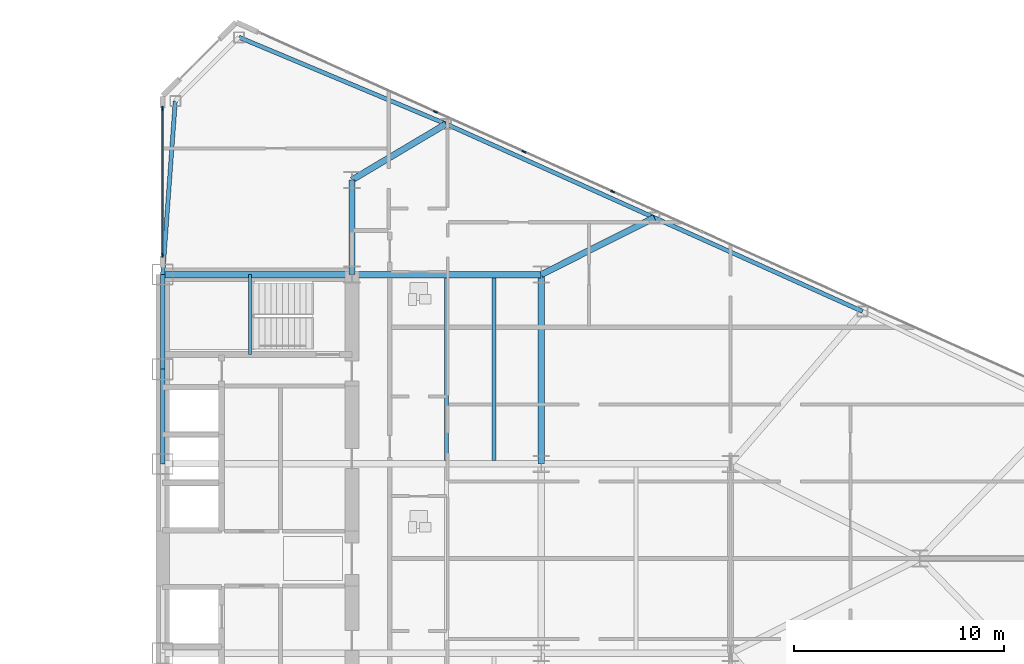
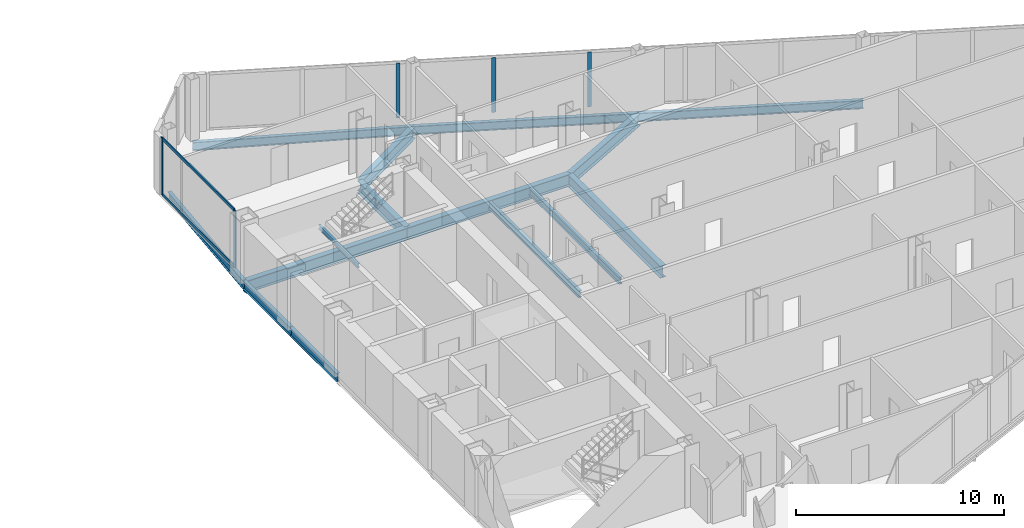
# One storey, part 13 of 27: 15 beams, 7 members, 2 elements without a shape of their own.
"""IFC4 building model written with IfcOpenShell, lengths in metres."""

from ifc_helpers import new_model, si_unit, direction, frame, origin, origin_2d, place, context, subcontext, project, spatial, rectangle, i_section, extrude, source, transform, mapped, material, layer, layer_set, material_profile, profile_set, type_object, type_shapes, element, aggregate, save


model = new_model("IFC4")

# Units and contexts
model_context = context("Model", 3, precision=1e-05, world=origin(), true_north=direction((0.0, 1.0)))
body_context = subcontext(model_context, "Body", "Model", "MODEL_VIEW")
ifc_project = project(units=[si_unit("LENGTHUNIT", "METRE"), si_unit("AREAUNIT", "SQUARE_METRE"), si_unit("VOLUMEUNIT", "CUBIC_METRE"), si_unit("PLANEANGLEUNIT", "RADIAN"), si_unit("MASSUNIT", "GRAM", prefix="KILO")], contexts=[model_context])

# Site, building, storey
site_placement = place(None, origin())
site = spatial("IfcSite", under=ifc_project, at=site_placement, CompositionType="ELEMENT")
building_placement = place(site_placement, origin())
building = spatial("IfcBuilding", under=site, at=building_placement, Name="Seokmaru Belvedere", CompositionType="ELEMENT")
storey_placement = place(building_placement, frame((0.0, 0.0, 83.699951171875)))
storey = spatial("IfcBuildingStorey", under=building, at=storey_placement, Name="L22", CompositionType="ELEMENT", Elevation=83.699951171875)

# Beams
ifc_material_1 = material(Name="Steel SM355 (355 MPa)", Category="steel")
ifc_material_profile_1 = material_profile(ifc_material_1, i_section(OverallWidth=0.199951171875, OverallDepth=0.5, WebThickness=0.010009765625, FlangeThickness=0.01611328125, at=origin_2d()), Name="H-500x200x10x16")
ifc_profile_set_1 = profile_set([ifc_material_profile_1], Name="Steel SM355 (355 MPa)")
beam_type_1 = type_object("IfcBeamType", Name="Perimeter Spandrel Beam H-500", PredefinedType="SPANDREL", material=ifc_profile_set_1)
shared_shape_1 = source(origin(), body_context, "Body", "SweptSolid", [
    extrude(i_section(OverallWidth=0.199951171875, OverallDepth=0.5, WebThickness=0.010009765625, FlangeThickness=0.01611328125, at=origin_2d()), origin(), (0.0, 0.0, 1.0), 4.5),
])
for number, where, z_axis, x_axis, name in (
    (1, (27.5, 4.5, -0.469970703125), (0.0, 1.0, 0.0), (-1.0, 0.0, 0.0), "L22 E Portal Spine Spandrel 4"),
    (2, (27.5, 9.0, -0.469970703125), (0.0, 1.0, 0.0), (-1.0, 0.0, 0.0), "L22 E Portal Spine Spandrel 5"),
):
    element("IfcBeam", number, at=place(storey_placement, frame(where, z_axis=z_axis, x_axis=x_axis)), inside=storey, type_object=beam_type_1, Name=name, PredefinedType="SPANDREL", context=body_context, shape_type="MappedRepresentation", body=[
        mapped(shared_shape_1, transform((0.0, 0.0, 0.0), scale=1.0)),
    ])
ifc_material_profile_2 = material_profile(ifc_material_1, i_section(OverallWidth=0.300048828125, OverallDepth=0.699951171875, WebThickness=0.012939453125, FlangeThickness=0.02392578125, at=origin_2d()), Name="H-700x300x13x24")
ifc_profile_set_2 = profile_set([ifc_material_profile_2], Name="Steel SM355 (355 MPa)")
beam_type_2 = type_object("IfcBeamType", Name="Primary Floor Girder H-700", PredefinedType="BEAM", material=ifc_profile_set_2)
shared_shape_2 = source(origin(), body_context, "Body", "SweptSolid", [
    extrude(i_section(OverallWidth=0.300048828125, OverallDepth=0.699951171875, WebThickness=0.012939453125, FlangeThickness=0.02392578125, at=origin_2d()), origin(), (0.0, 0.0, 1.0), 4.5),
])
beam_1_placement = place(storey_placement, frame((36.5, 13.5, -0.570068359375), z_axis=(0.0, 1.0, 0.0), x_axis=(-1.0, 0.0, 0.0)))
element("IfcBeam", 3, at=beam_1_placement, inside=storey, type_object=beam_type_2, Name="L22 E Core Shoulder Girder N", PredefinedType="BEAM", context=body_context, shape_type="MappedRepresentation", body=[
    mapped(shared_shape_2, transform((0.0, 0.0, 0.0), scale=1.0)),
])
shared_shape_3 = source(origin(), body_context, "Body", "SweptSolid", [
    extrude(i_section(OverallWidth=0.300048828125, OverallDepth=0.699951171875, WebThickness=0.012939453125, FlangeThickness=0.02392578125, at=origin_2d()), origin(), (0.0, 0.0, 1.0), 9.0),
])
for number, where, z_axis, x_axis, name in (
    (4, (45.5, 4.5, -0.570068359375), (0.0, 1.0, 0.0), (-1.0, 0.0, 0.0), "L22 E Interior Grid Girder 3"),
    (5, (27.5, 13.5, -0.570068359375), (1.0, 0.0, 0.0), (0.0, 1.0, 0.0), "L22 E Core Tie Girder 4"),
    (6, (36.5, 13.5, -0.570068359375), (1.0, 0.0, 0.0), (0.0, 1.0, 0.0), "L22 E Wing Primary Girder 4"),
):
    element("IfcBeam", number, at=place(storey_placement, frame(where, z_axis=z_axis, x_axis=x_axis)), inside=storey, type_object=beam_type_2, Name=name, PredefinedType="BEAM", context=body_context, shape_type="MappedRepresentation", body=[
        mapped(shared_shape_3, transform((0.0, 0.0, 0.0), scale=1.0)),
    ])
ifc_material_profile_3 = material_profile(ifc_material_1, i_section(OverallWidth=0.18505859375, OverallDepth=0.389892578125, WebThickness=0.008056640625, FlangeThickness=0.011962890625, at=origin_2d()), Name="H-390x185x8x12")
ifc_profile_set_3 = profile_set([ifc_material_profile_3], Name="Steel SM355 (355 MPa)")
beam_type_3 = type_object("IfcBeamType", Name="Secondary Floor Joist H-350", PredefinedType="JOIST", material=ifc_profile_set_3)
shared_shape_4 = source(origin(), body_context, "Body", "SweptSolid", [
    extrude(i_section(OverallWidth=0.18505859375, OverallDepth=0.389892578125, WebThickness=0.008056640625, FlangeThickness=0.011962890625, at=origin_2d()), origin(), (0.0, 0.0, 1.0), 8.68994140625),
])
type_shapes(beam_type_3, [shared_shape_4])
for number, where, z_axis, x_axis, name in (
    (7, (43.25, 4.655029296875, -0.4150390625), (0.0, 1.0, 0.0), (-1.0, 0.0, 0.0), "L22 E Wing Inner Secondary Joist 2"),
    (8, (41.0, 4.655029296875, -0.4150390625), (0.0, 1.0, 0.0), (-1.0, 0.0, 0.0), "L22 E Secondary Floor Joist 3"),
):
    element("IfcBeam", number, at=place(storey_placement, frame(where, z_axis=z_axis, x_axis=x_axis)), inside=storey, type_object=beam_type_3, Name=name, PredefinedType="JOIST", context=body_context, shape_type="MappedRepresentation", body=[
        mapped(shared_shape_4, transform((0.0, 0.0, 0.0), scale=1.0)),
    ])
shared_shape_5 = source(origin(), body_context, "Body", "SweptSolid", [
    extrude(i_section(OverallWidth=0.199951171875, OverallDepth=0.5, WebThickness=0.010009765625, FlangeThickness=0.01611328125, at=origin_2d()), origin(), (0.0, 0.0, 1.0), 10.66943359375),
])
beam_2_placement = place(storey_placement, frame((31.13134765625, 24.782958984375, -0.469970703125), z_axis=(0.922375393128, -0.386294750355, 0.0), x_axis=(0.386294750355, 0.922375393128, 0.0)))
element("IfcBeam", 9, at=beam_2_placement, inside=storey, type_object=beam_type_1, Name="L22 E Faceted Flank Spandrel N-1", PredefinedType="SPANDREL", context=body_context, shape_type="MappedRepresentation", body=[
    mapped(shared_shape_5, transform((0.0, 0.0, 0.0), scale=1.0)),
])
shared_shape_6 = source(origin(), body_context, "Body", "SweptSolid", [
    extrude(i_section(OverallWidth=0.199951171875, OverallDepth=0.5, WebThickness=0.010009765625, FlangeThickness=0.01611328125, at=origin_2d()), origin(), (0.0, 0.0, 1.0), 10.85888671875),
])
for number, where, z_axis, x_axis, name in (
    (10, (40.97265625, 20.661376953125, -0.469970703125), (0.911921505175, -0.410364677329, 0.0), (0.410364677329, 0.911921505175, 0.0), "L22 E Faceted Flank Spandrel N-2"),
    (11, (50.875, 16.205322265625, -0.469970703125), (0.911925291223, -0.410356263785, 0.0), (0.410356263785, 0.911925291223, 0.0), "L22 E Faceted Flank Spandrel N-3"),
):
    element("IfcBeam", number, at=place(storey_placement, frame(where, z_axis=z_axis, x_axis=x_axis)), inside=storey, type_object=beam_type_1, Name=name, PredefinedType="SPANDREL", context=body_context, shape_type="MappedRepresentation", body=[
        mapped(shared_shape_6, transform((0.0, 0.0, 0.0), scale=1.0)),
    ])
shared_shape_7 = source(origin(), body_context, "Body", "SweptSolid", [
    extrude(i_section(OverallWidth=0.199951171875, OverallDepth=0.5, WebThickness=0.010009765625, FlangeThickness=0.01611328125, at=origin_2d()), origin(), (0.0, 0.0, 1.0), 8.273193359375),
])
type_shapes(beam_type_1, [shared_shape_1, shared_shape_5, shared_shape_6, shared_shape_7])
beam_3_placement = place(storey_placement, frame((28.10009765625, 21.75146484375, -0.469970703125), z_axis=(-0.072534628348, -0.99736589459, 0.0), x_axis=(0.99736589459, -0.072534628348, 0.0)))
element("IfcBeam", 12, at=beam_3_placement, inside=storey, type_object=beam_type_1, Name="L22 E Shoulder Spine Spandrel N", PredefinedType="SPANDREL", context=body_context, shape_type="MappedRepresentation", body=[
    mapped(shared_shape_7, transform((0.0, 0.0, 0.0), scale=1.0)),
])
shared_shape_8 = source(origin(), body_context, "Body", "SweptSolid", [
    extrude(i_section(OverallWidth=0.300048828125, OverallDepth=0.699951171875, WebThickness=0.012939453125, FlangeThickness=0.02392578125, at=origin_2d()), origin(), (0.0, 0.0, 1.0), 5.20458984375),
])
beam_4_placement = place(storey_placement, frame((40.97265625, 20.661376953125, -0.570068359375), z_axis=(-0.859370434188, -0.511353553662, 0.0), x_axis=(0.511353553662, -0.859370434188, 0.0)))
element("IfcBeam", 13, at=beam_4_placement, inside=storey, type_object=beam_type_2, Name="L22 E Flank Radial Floor Girder N-1", PredefinedType="BEAM", context=body_context, shape_type="MappedRepresentation", body=[
    mapped(shared_shape_8, transform((0.0, 0.0, 0.0), scale=1.0)),
])
shared_shape_9 = source(origin(), body_context, "Body", "SweptSolid", [
    extrude(i_section(OverallWidth=0.300048828125, OverallDepth=0.699951171875, WebThickness=0.012939453125, FlangeThickness=0.02392578125, at=origin_2d()), origin(), (0.0, 0.0, 1.0), 6.017333984375),
])
type_shapes(beam_type_2, [shared_shape_2, shared_shape_3, shared_shape_8, shared_shape_9])
beam_5_placement = place(storey_placement, frame((50.875, 16.205322265625, -0.570068359375), z_axis=(-0.893239341975, -0.449581447512, 0.0), x_axis=(0.449581447512, -0.893239341975, 0.0)))
element("IfcBeam", 14, at=beam_5_placement, inside=storey, type_object=beam_type_2, Name="L22 E Flank Radial Floor Girder N-2", PredefinedType="BEAM", context=body_context, shape_type="MappedRepresentation", body=[
    mapped(shared_shape_9, transform((0.0, 0.0, 0.0), scale=1.0)),
])

# Curtain wall, members
ifc_material_2 = material(Name="Bronze Triple Insulating Glass", Category="glass")
ifc_layer = layer(ifc_material_2, 0.195068359375)
ifc_layer_set = layer_set([ifc_layer], Name="Bronze Triple Insulating Glass")
curtain_wall_type = type_object("IfcCurtainWallType", Name="Lower-Mid Tapered Curtain Wall System CW-3", PredefinedType="NOTDEFINED", material=ifc_layer_set)
curtain_wall_1_placement = place(storey_placement, origin())
curtain_wall_1 = element("IfcCurtainWall", 15, at=curtain_wall_1_placement, inside=storey, type_object=curtain_wall_type, Name="L22 Curtain Wall ESP_2", PredefinedType="NOTDEFINED")
ifc_material_3 = material(Name="Anodised Bronze Aluminium", Category="aluminium")
ifc_material_profile_4 = material_profile(ifc_material_3, rectangle(XDim=0.070068359375, YDim=0.1650390625, at=origin_2d()), Name="CW-T-70x165")
ifc_profile_set_4 = profile_set([ifc_material_profile_4], Name="Anodised Bronze Aluminium")
member_type_1 = type_object("IfcMemberType", Name="Bronze Unitised Transom 70x165", PredefinedType="USERDEFINED", material=ifc_profile_set_4)
shared_shape_10 = source(origin(), body_context, "Body", "SweptSolid", [
    extrude(rectangle(XDim=0.070068359375, YDim=0.1650390625, at=origin_2d()), origin(), (0.0, 0.0, 1.0), 6.91015625),
])
type_shapes(member_type_1, [shared_shape_10])
member_1_placement = place(storey_placement, frame((27.5, 21.360107421875, 0.03515625), z_axis=(0.0, -1.0, 0.0), x_axis=(1.0, 0.0, 0.0)))
member_1 = element("IfcMember", 16, at=member_1_placement, type_object=member_type_1, Name="CW:L22:ESP_2 Continuous Transom 1", ObjectType="TRANSOM", PredefinedType="USERDEFINED", context=body_context, shape_type="MappedRepresentation", body=[
    mapped(shared_shape_10, transform((0.0, 0.0, 0.0), scale=1.0)),
])
member_2_placement = place(storey_placement, frame((27.5, 21.360107421875, 3.304931640625), z_axis=(0.0, -1.0, 0.0), x_axis=(1.0, 0.0, 0.0)))
member_2 = element("IfcMember", 17, at=member_2_placement, type_object=member_type_1, Name="CW:L22:ESP_2 Continuous Transom 2", ObjectType="TRANSOM", PredefinedType="USERDEFINED", context=body_context, shape_type="MappedRepresentation", body=[
    mapped(shared_shape_10, transform((0.0, 0.0, 0.0), scale=1.0)),
])
ifc_material_profile_5 = material_profile(ifc_material_3, rectangle(XDim=0.070068359375, YDim=0.195068359375, at=origin_2d()), Name="CW-M-70x195")
ifc_profile_set_5 = profile_set([ifc_material_profile_5], Name="Anodised Bronze Aluminium")
member_type_2 = type_object("IfcMemberType", Name="Bronze Unitised Mullion 70x195", PredefinedType="MULLION", material=ifc_profile_set_5)
shared_shape_11 = source(origin(), body_context, "Body", "SweptSolid", [
    extrude(rectangle(XDim=0.070068359375, YDim=0.195068359375, at=origin_2d()), origin(), (0.0, 0.0, 1.0), 3.340087890625),
])
member_3_placement = place(storey_placement, frame((27.5, 21.39501953125, 0.0), z_axis=(0.0, 0.0, 1.0), x_axis=(1.0, 0.0, 0.0)))
member_3 = element("IfcMember", 18, at=member_3_placement, type_object=member_type_2, Name="CW:L22:ESP_2 Mullion 1", PredefinedType="MULLION", context=body_context, shape_type="MappedRepresentation", body=[
    mapped(shared_shape_11, transform((0.0, 0.0, 0.0), scale=1.0)),
])
member_4_placement = place(storey_placement, frame((27.5, 14.4150390625, 0.0), z_axis=(0.0, 0.0, 1.0), x_axis=(1.0, 0.0, 0.0)))
member_4 = element("IfcMember", 19, at=member_4_placement, type_object=member_type_2, Name="CW:L22:ESP_2 Mullion 2", PredefinedType="MULLION", context=body_context, shape_type="MappedRepresentation", body=[
    mapped(shared_shape_11, transform((0.0, 0.0, 0.0), scale=1.0)),
])
aggregate(curtain_wall_1, [member_3, member_4, member_1, member_2])

curtain_wall_2_placement = place(storey_placement, origin())
curtain_wall_2 = element("IfcCurtainWall", 20, at=curtain_wall_2_placement, inside=storey, type_object=curtain_wall_type, Name="L22 Curtain Wall EF3", PredefinedType="NOTDEFINED")
shared_shape_12 = source(origin(), body_context, "Body", "SweptSolid", [
    extrude(rectangle(XDim=0.070068359375, YDim=0.195068359375, at=origin_2d()), origin(), (0.0, 0.0, 1.0), 3.199951171875),
])
type_shapes(member_type_2, [shared_shape_11, shared_shape_12])
member_5_placement = place(storey_placement, frame((48.894287109375, 17.447509765625, 0.070068359375), z_axis=(0.0, 0.0, 1.0), x_axis=(-0.41036554765, -0.91192111353, 0.0)))
member_5 = element("IfcMember", 21, at=member_5_placement, type_object=member_type_2, Name="CW:L22:EF3 Mullion 6", PredefinedType="MULLION", context=body_context, shape_type="MappedRepresentation", body=[
    mapped(shared_shape_12, transform((0.0, 0.0, 0.0), scale=1.0)),
])
member_6_placement = place(storey_placement, frame((44.682861328125, 19.3427734375, 0.070068359375), z_axis=(0.0, 0.0, 1.0), x_axis=(-0.41036554765, -0.91192111353, 0.0)))
member_6 = element("IfcMember", 22, at=member_6_placement, type_object=member_type_2, Name="CW:L22:EF3 Mullion 7", PredefinedType="MULLION", context=body_context, shape_type="MappedRepresentation", body=[
    mapped(shared_shape_12, transform((0.0, 0.0, 0.0), scale=1.0)),
])
member_7_placement = place(storey_placement, frame((40.471435546875, 21.23779296875, 0.070068359375), z_axis=(0.0, 0.0, 1.0), x_axis=(-0.41036554765, -0.91192111353, 0.0)))
member_7 = element("IfcMember", 23, at=member_7_placement, type_object=member_type_2, Name="CW:L22:EF3 Mullion 8", PredefinedType="MULLION", context=body_context, shape_type="MappedRepresentation", body=[
    mapped(shared_shape_12, transform((0.0, 0.0, 0.0), scale=1.0)),
])
aggregate(curtain_wall_2, [member_5, member_6, member_7])

# Beam
ifc_material_profile_6 = material_profile(ifc_material_1, i_section(OverallWidth=0.125, OverallDepth=0.25, WebThickness=0.006103515625, FlangeThickness=0.009033203125, at=origin_2d()), Name="H-250x125x6x9")
ifc_profile_set_6 = profile_set([ifc_material_profile_6], Name="Steel SM355 (355 MPa)")
beam_type_4 = type_object("IfcBeamType", Name="Stair Mid-Landing Support Beam H-250", PredefinedType="JOIST", material=ifc_profile_set_6)
shared_shape_13 = source(origin(), body_context, "Body", "SweptSolid", [
    extrude(i_section(OverallWidth=0.125, OverallDepth=0.25, WebThickness=0.006103515625, FlangeThickness=0.009033203125, at=origin_2d()), origin(), (0.0, 0.0, 1.0), 3.800048828125),
])
type_shapes(beam_type_4, [shared_shape_13])
beam_6_placement = place(storey_placement, frame((31.64990234375, 9.699951171875, 1.47509765625), z_axis=(0.0, 1.0, 0.0), x_axis=(-1.0, 0.0, 0.0)))
element("IfcBeam", 24, at=beam_6_placement, inside=storey, type_object=beam_type_4, Name="L22 Stair ST-E2 Mid-Landing Support Beam 1", PredefinedType="JOIST", context=body_context, shape_type="MappedRepresentation", body=[
    mapped(shared_shape_13, transform((0.0, 0.0, 0.0), scale=1.0)),
])

save(model, "model.ifc")
